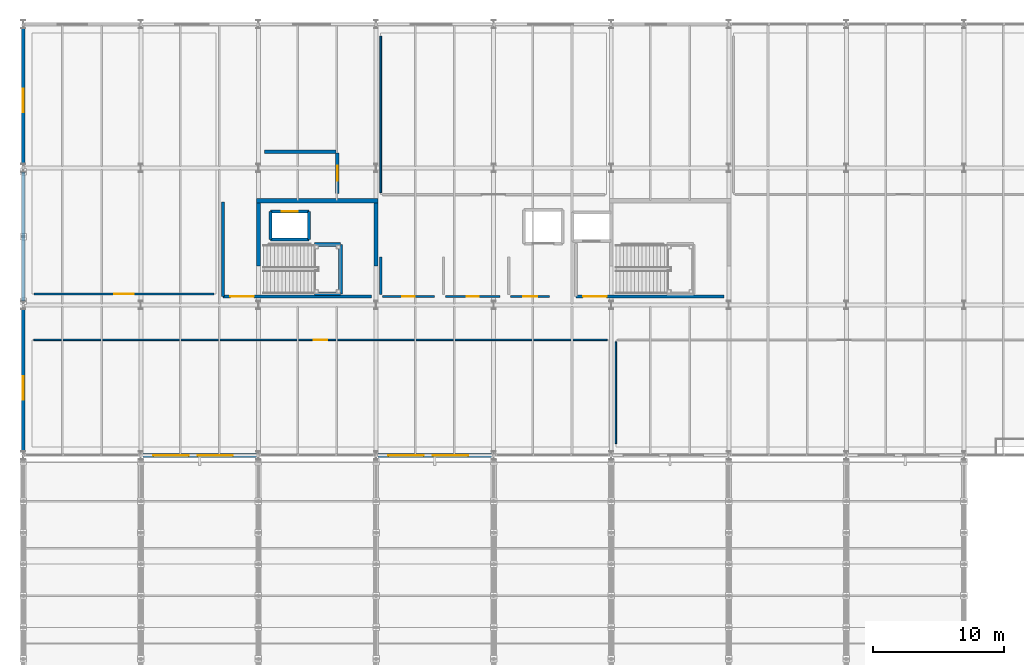
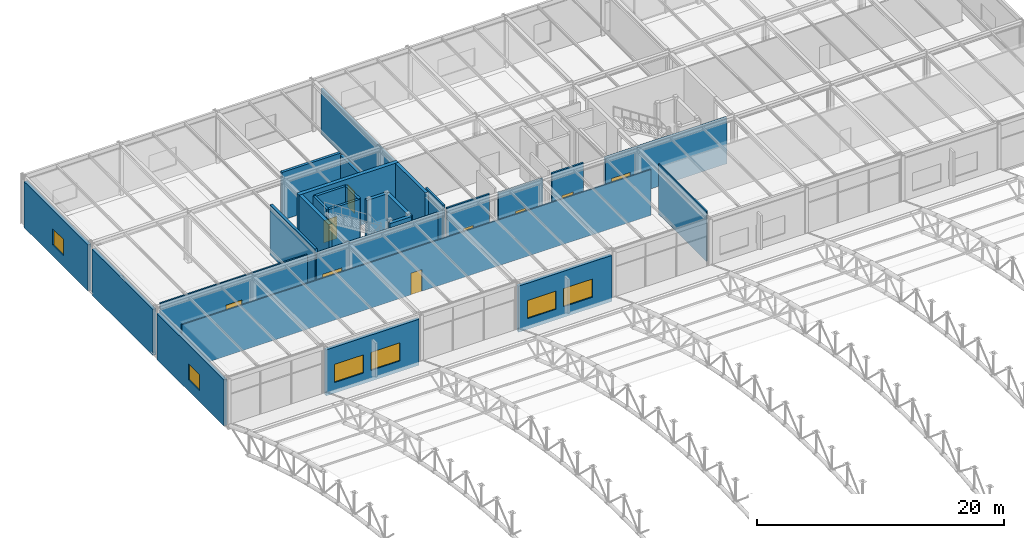
# One storey, part 109 of 195: 28 walls, 9 doors, 6 windows, 15 openings.
"""IFC4 building model written with IfcOpenShell, lengths in metres."""

from ifc_helpers import new_model, si_unit, direction, frame, frame_2d, origin, place, context, subcontext, project, spatial, rectangle, extrude, material, layer, layer_set, type_object, element, fill, save


model = new_model("IFC4")

# Units and contexts
model_context = context("Model", 3, precision=1e-05, world=origin(), true_north=direction((0.0, 1.0)))
body_context = subcontext(model_context, "Body", "Model", "MODEL_VIEW")
ifc_project = project(units=[si_unit("LENGTHUNIT", "METRE"), si_unit("AREAUNIT", "SQUARE_METRE"), si_unit("VOLUMEUNIT", "CUBIC_METRE"), si_unit("PLANEANGLEUNIT", "RADIAN"), si_unit("MASSUNIT", "GRAM", prefix="KILO")], contexts=[model_context])

# Site, building, storey
site_placement = place(None, origin())
site = spatial("IfcSite", under=ifc_project, at=site_placement, CompositionType="ELEMENT")
building_placement = place(site_placement, origin())
building = spatial("IfcBuilding", under=site, at=building_placement, Name="Marlcrest Central Station", CompositionType="ELEMENT")
storey_placement = place(building_placement, frame((0.0, 0.0, 9.800048828125)))
storey = spatial("IfcBuildingStorey", under=building, at=storey_placement, Name="L02", CompositionType="ELEMENT", Elevation=9.800048828125)

# Wall, openings, windows
ifc_material_1 = material(Name="Concrete C40/50", Category="concrete")
ifc_layer_1 = layer(ifc_material_1, 0.2900390625, Name="EW-02")
ifc_layer_set_1 = layer_set([ifc_layer_1], Name="Concrete C40/50")
wall_type_1 = type_object("IfcWallType", Name="EW-02", PredefinedType="SOLIDWALL", material=ifc_layer_set_1)
wall_1_placement = place(storey_placement, frame((17.85009765625, 99.0, 0.0), z_axis=(0.0, 0.0, 1.0), x_axis=(-1.0, 0.0, 0.0)))
wall_1 = element("IfcWall", 1, at=wall_1_placement, inside=storey, type_object=wall_type_1, Name="ewall-L02-0133", PredefinedType="SOLIDWALL", context=body_context, shape_type="SweptSolid", body=[
    extrude(rectangle(XDim=8.7001953125, YDim=0.2900390625, at=frame_2d((4.35009765625, 0.0))), origin(), (0.0, 0.0, 1.0), 4.550048828125),
])
opening_1_placement = place(wall_1_placement, frame((1.800048828125, 0.0, 1.050048828125)))
opening_1 = element("IfcOpeningElement", 2, at=opening_1_placement, cuts=wall_1, Name="Opening WN-06", PredefinedType="OPENING", context=body_context, shape_type="SweptSolid", body=[
    extrude(rectangle(XDim=2.699951171875, YDim=1.800048828125, at=frame_2d((1.35009765625, 0.89990234375))), frame((0.0, 0.155029296875, 0.0), z_axis=(0.0, -1.0, 0.0), x_axis=(1.0, 0.0, 0.0)), (0.0, 0.0, 1.0), 0.31005859375),
])
opening_2_placement = place(wall_1_placement, frame((5.199951171875, 0.0, 1.050048828125)))
opening_2 = element("IfcOpeningElement", 3, at=opening_2_placement, cuts=wall_1, Name="Opening WN-06", PredefinedType="OPENING", context=body_context, shape_type="SweptSolid", body=[
    extrude(rectangle(XDim=2.699951171875, YDim=1.800048828125, at=frame_2d((1.35009765625, 0.89990234375))), frame((0.0, 0.155029296875, 0.0), z_axis=(0.0, -1.0, 0.0), x_axis=(1.0, 0.0, 0.0)), (0.0, 0.0, 1.0), 0.31005859375),
])
ifc_material_2 = material(Name="Thermally broken bronze-anodised aluminium and laminated low-E glass", Category="aluminium")
window_type_1 = type_object("IfcWindowType", Name="WN-06", PartitioningType="SINGLE_PANEL", PredefinedType="WINDOW", material=ifc_material_2)
window_1_placement = place(opening_1_placement, origin())
window_1 = element("IfcWindow", 4, at=window_1_placement, inside=storey, type_object=window_type_1, Name="ewin-L02-0086", OverallHeight=1.800048828125, OverallWidth=2.699951171875, PartitioningType="SINGLE_PANEL", PredefinedType="WINDOW", context=body_context, shape_type="SweptSolid", body=[
    extrude(rectangle(XDim=2.699951171875, YDim=1.800048828125, at=frame_2d((1.35009765625, 0.89990234375))), frame((0.0, 0.030029296875, 0.0), z_axis=(0.0, -1.0, 0.0), x_axis=(1.0, 0.0, 0.0)), (0.0, 0.0, 1.0), 0.06005859375),
])
fill(opening_1, window_1)
window_2_placement = place(opening_2_placement, origin())
window_2 = element("IfcWindow", 5, at=window_2_placement, inside=storey, type_object=window_type_1, Name="ewin-L02-0087", OverallHeight=1.800048828125, OverallWidth=2.699951171875, PartitioningType="SINGLE_PANEL", PredefinedType="WINDOW", context=body_context, shape_type="SweptSolid", body=[
    extrude(rectangle(XDim=2.699951171875, YDim=1.800048828125, at=frame_2d((1.35009765625, 0.89990234375))), frame((0.0, 0.030029296875, 0.0), z_axis=(0.0, -1.0, 0.0), x_axis=(1.0, 0.0, 0.0)), (0.0, 0.0, 1.0), 0.06005859375),
])
fill(opening_2, window_2)

wall_2_placement = place(storey_placement, frame((35.85009765625, 99.0, 0.0), z_axis=(0.0, 0.0, 1.0), x_axis=(-1.0, 0.0, 0.0)))
wall_2 = element("IfcWall", 6, at=wall_2_placement, inside=storey, type_object=wall_type_1, Name="ewall-L02-0136", PredefinedType="SOLIDWALL", context=body_context, shape_type="SweptSolid", body=[
    extrude(rectangle(XDim=8.7001953125, YDim=0.2900390625, at=frame_2d((4.35009765625, 0.0))), origin(), (0.0, 0.0, 1.0), 4.550048828125),
])
opening_3_placement = place(wall_2_placement, frame((1.800048828125, 0.0, 1.050048828125)))
opening_3 = element("IfcOpeningElement", 7, at=opening_3_placement, cuts=wall_2, Name="Opening WN-06", PredefinedType="OPENING", context=body_context, shape_type="SweptSolid", body=[
    extrude(rectangle(XDim=2.699951171875, YDim=1.800048828125, at=frame_2d((1.35009765625, 0.89990234375))), frame((0.0, 0.155029296875, 0.0), z_axis=(0.0, -1.0, 0.0), x_axis=(1.0, 0.0, 0.0)), (0.0, 0.0, 1.0), 0.31005859375),
])
opening_4_placement = place(wall_2_placement, frame((5.199951171875, 0.0, 1.050048828125)))
opening_4 = element("IfcOpeningElement", 8, at=opening_4_placement, cuts=wall_2, Name="Opening WN-06", PredefinedType="OPENING", context=body_context, shape_type="SweptSolid", body=[
    extrude(rectangle(XDim=2.699951171875, YDim=1.800048828125, at=frame_2d((1.35009765625, 0.89990234375))), frame((0.0, 0.155029296875, 0.0), z_axis=(0.0, -1.0, 0.0), x_axis=(1.0, 0.0, 0.0)), (0.0, 0.0, 1.0), 0.31005859375),
])
window_3_placement = place(opening_3_placement, origin())
window_3 = element("IfcWindow", 9, at=window_3_placement, inside=storey, type_object=window_type_1, Name="ewin-L02-0090", OverallHeight=1.800048828125, OverallWidth=2.699951171875, PartitioningType="SINGLE_PANEL", PredefinedType="WINDOW", context=body_context, shape_type="SweptSolid", body=[
    extrude(rectangle(XDim=2.699951171875, YDim=1.800048828125, at=frame_2d((1.35009765625, 0.89990234375))), frame((0.0, 0.030029296875, 0.0), z_axis=(0.0, -1.0, 0.0), x_axis=(1.0, 0.0, 0.0)), (0.0, 0.0, 1.0), 0.06005859375),
])
fill(opening_3, window_3)
window_4_placement = place(opening_4_placement, origin())
window_4 = element("IfcWindow", 10, at=window_4_placement, inside=storey, type_object=window_type_1, Name="ewin-L02-0091", OverallHeight=1.800048828125, OverallWidth=2.699951171875, PartitioningType="SINGLE_PANEL", PredefinedType="WINDOW", context=body_context, shape_type="SweptSolid", body=[
    extrude(rectangle(XDim=2.699951171875, YDim=1.800048828125, at=frame_2d((1.35009765625, 0.89990234375))), frame((0.0, 0.030029296875, 0.0), z_axis=(0.0, -1.0, 0.0), x_axis=(1.0, 0.0, 0.0)), (0.0, 0.0, 1.0), 0.06005859375),
])
fill(opening_4, window_4)

# Wall, opening, window
wall_3_placement = place(storey_placement, frame((0.0, 99.324951171875, 0.0), z_axis=(0.0, 0.0, 1.0), x_axis=(0.0, 1.0, 0.0)))
wall_3 = element("IfcWall", 11, at=wall_3_placement, inside=storey, type_object=wall_type_1, Name="ewall-L02-0142", PredefinedType="SOLIDWALL", context=body_context, shape_type="SweptSolid", body=[
    extrude(rectangle(XDim=10.85009765625, YDim=0.2900390625, at=frame_2d((5.425048828125, 0.0))), origin(), (0.0, 0.0, 1.0), 4.550048828125),
])
opening_5_placement = place(wall_3_placement, frame((3.925048828125, 0.0, 1.10009765625)))
opening_5 = element("IfcOpeningElement", 12, at=opening_5_placement, cuts=wall_3, Name="Opening WN-01", PredefinedType="OPENING", context=body_context, shape_type="SweptSolid", body=[
    extrude(rectangle(XDim=1.800048828125, YDim=1.60009765625, at=frame_2d((0.89990234375, 0.800048828125))), frame((0.0, 0.155029296875, 0.0), z_axis=(0.0, -1.0, 0.0), x_axis=(1.0, 0.0, 0.0)), (0.0, 0.0, 1.0), 0.31005859375),
])
window_type_2 = type_object("IfcWindowType", Name="WN-01", PartitioningType="SINGLE_PANEL", PredefinedType="WINDOW", material=ifc_material_2)
window_5_placement = place(opening_5_placement, origin())
window_5 = element("IfcWindow", 13, at=window_5_placement, inside=storey, type_object=window_type_2, Name="ewin-L02-0099", OverallHeight=1.60009765625, OverallWidth=1.800048828125, PartitioningType="SINGLE_PANEL", PredefinedType="WINDOW", context=body_context, shape_type="SweptSolid", body=[
    extrude(rectangle(XDim=1.800048828125, YDim=1.60009765625, at=frame_2d((0.89990234375, 0.800048828125))), frame((0.0, 0.030029296875, 0.0), z_axis=(0.0, -1.0, 0.0), x_axis=(1.0, 0.0, 0.0)), (0.0, 0.0, 1.0), 0.06005859375),
])
fill(opening_5, window_5)

# Wall
wall_4_placement = place(storey_placement, frame((0.0, 110.824951171875, 0.0), z_axis=(0.0, 0.0, 1.0), x_axis=(0.0, 1.0, 0.0)))
element("IfcWall", 14, at=wall_4_placement, inside=storey, type_object=wall_type_1, Name="ewall-L02-0143", PredefinedType="SOLIDWALL", context=body_context, shape_type="SweptSolid", body=[
    extrude(rectangle(XDim=9.85009765625, YDim=0.2900390625, at=frame_2d((4.925048828125, 0.0))), origin(), (0.0, 0.0, 1.0), 4.550048828125),
])

# Wall, opening, window
wall_5_placement = place(storey_placement, frame((0.0, 121.324951171875, 0.0), z_axis=(0.0, 0.0, 1.0), x_axis=(0.0, 1.0, 0.0)))
wall_5 = element("IfcWall", 15, at=wall_5_placement, inside=storey, type_object=wall_type_1, Name="ewall-L02-0144", PredefinedType="SOLIDWALL", context=body_context, shape_type="SweptSolid", body=[
    extrude(rectangle(XDim=10.35009765625, YDim=0.2900390625, at=frame_2d((5.175048828125, 0.0))), origin(), (0.0, 0.0, 1.0), 4.550048828125),
])
opening_6_placement = place(wall_5_placement, frame((3.925048828125, 0.0, 1.10009765625)))
opening_6 = element("IfcOpeningElement", 16, at=opening_6_placement, cuts=wall_5, Name="Opening WN-01", PredefinedType="OPENING", context=body_context, shape_type="SweptSolid", body=[
    extrude(rectangle(XDim=1.800048828125, YDim=1.60009765625, at=frame_2d((0.89990234375, 0.800048828125))), frame((0.0, 0.155029296875, 0.0), z_axis=(0.0, -1.0, 0.0), x_axis=(1.0, 0.0, 0.0)), (0.0, 0.0, 1.0), 0.31005859375),
])
window_6_placement = place(opening_6_placement, origin())
window_6 = element("IfcWindow", 17, at=window_6_placement, inside=storey, type_object=window_type_2, Name="ewin-L02-0100", OverallHeight=1.60009765625, OverallWidth=1.800048828125, PartitioningType="SINGLE_PANEL", PredefinedType="WINDOW", context=body_context, shape_type="SweptSolid", body=[
    extrude(rectangle(XDim=1.800048828125, YDim=1.60009765625, at=frame_2d((0.89990234375, 0.800048828125))), frame((0.0, 0.030029296875, 0.0), z_axis=(0.0, -1.0, 0.0), x_axis=(1.0, 0.0, 0.0)), (0.0, 0.0, 1.0), 0.06005859375),
])
fill(opening_6, window_6)

# Wall, opening, door
ifc_material_3 = material(Name="Acoustic steel-stud gypsum board partition", Category="steel")
ifc_layer_2 = layer(ifc_material_3, 0.1201171875, Name="PT-01")
ifc_layer_set_2 = layer_set([ifc_layer_2], Name="Acoustic steel-stud gypsum board partition")
wall_type_2 = type_object("IfcWallType", Name="PT-01", PredefinedType="PARTITIONING", material=ifc_layer_set_2)
wall_6_placement = place(storey_placement, frame((0.81005859375, 107.840087890625, 0.0), z_axis=(0.0, 0.0, 1.0), x_axis=(1.0, 0.0, 0.0)))
wall_6 = element("IfcWall", 18, at=wall_6_placement, inside=storey, type_object=wall_type_2, Name="iwall-L02-00146", PredefinedType="PARTITIONING", context=body_context, shape_type="SweptSolid", body=[
    extrude(rectangle(XDim=43.8798828125, YDim=0.1201171875, at=frame_2d((21.93994140625, 0.0))), origin(), (0.0, 0.0, 1.0), 4.530029296875),
])
opening_7_placement = place(wall_6_placement, frame((21.43994140625, 0.0, 0.0)))
opening_7 = element("IfcOpeningElement", 19, at=opening_7_placement, cuts=wall_6, Name="Opening ID-02", PredefinedType="OPENING", context=body_context, shape_type="SweptSolid", body=[
    extrude(rectangle(XDim=1.0, YDim=2.14990234375, at=frame_2d((0.5, 1.074951171875))), frame((0.0, 0.070068359375, 0.0), z_axis=(0.0, -1.0, 0.0), x_axis=(1.0, 0.0, 0.0)), (0.0, 0.0, 1.0), 0.14013671875),
])
ifc_material_4 = material(Name="Solid-core hardwood office door", Category="wood")
door_type_1 = type_object("IfcDoorType", Name="ID-02", OperationType="NOTDEFINED", PredefinedType="DOOR", material=ifc_material_4)
door_1_placement = place(opening_7_placement, origin())
door_1 = element("IfcDoor", 20, at=door_1_placement, inside=storey, type_object=door_type_1, Name="L02-V5A 0083", OperationType="SINGLE_SWING_LEFT", OverallHeight=2.14990234375, OverallWidth=1.0, PredefinedType="DOOR", context=body_context, shape_type="SweptSolid", body=[
    extrude(rectangle(XDim=1.0, YDim=2.14990234375, at=frame_2d((0.5, 1.074951171875))), frame((0.0, 0.02490234375, 0.0), z_axis=(0.0, -1.0, 0.0), x_axis=(1.0, 0.0, 0.0)), (0.0, 0.0, 1.0), 0.050048828125),
])
fill(opening_7, door_1)

# Wall
wall_7_placement = place(storey_placement, frame((45.360107421875, 99.909912109375, 0.0), z_axis=(0.0, 0.0, 1.0), x_axis=(0.0, 1.0, 0.0)))
element("IfcWall", 21, at=wall_7_placement, inside=storey, type_object=wall_type_2, Name="iwall-L02-00148", PredefinedType="PARTITIONING", context=body_context, shape_type="SweptSolid", body=[
    extrude(rectangle(XDim=7.780029296875, YDim=0.1201171875, at=frame_2d((3.89013671875, 0.0))), origin(), (0.0, 0.0, 1.0), 4.949951171875),
])

# Wall, opening, door
ifc_material_5 = material(Name="Acoustic double-stud partition")
ifc_layer_3 = layer(ifc_material_5, 0.139892578125, Name="PT-02")
ifc_layer_set_3 = layer_set([ifc_layer_3], Name="Acoustic double-stud partition")
wall_type_3 = type_object("IfcWallType", Name="PT-02", PredefinedType="PARTITIONING", material=ifc_layer_set_3)
wall_8_placement = place(storey_placement, frame((14.590087890625, 111.360107421875, 0.0), z_axis=(0.0, 0.0, 1.0), x_axis=(-1.0, 0.0, 0.0)))
wall_8 = element("IfcWall", 22, at=wall_8_placement, inside=storey, type_object=wall_type_3, Name="iwall-L02-00149", PredefinedType="PARTITIONING", context=body_context, shape_type="SweptSolid", body=[
    extrude(rectangle(XDim=13.780029296875, YDim=0.139892578125, at=frame_2d((6.89013671875, 0.0))), origin(), (0.0, 0.0, 1.0), 4.530029296875),
])
opening_8_placement = place(wall_8_placement, frame((6.139892578125, 0.0, 0.0)))
opening_8 = element("IfcOpeningElement", 23, at=opening_8_placement, cuts=wall_8, Name="Opening ID-05", PredefinedType="OPENING", context=body_context, shape_type="SweptSolid", body=[
    extrude(rectangle(XDim=1.5, YDim=2.199951171875, at=frame_2d((0.75, 1.10009765625))), frame((0.0, 0.079833984375, 0.0), z_axis=(0.0, -1.0, 0.0), x_axis=(1.0, 0.0, 0.0)), (0.0, 0.0, 1.0), 0.159912109375),
])
ifc_material_6 = material(Name="Double lounge and meeting door")
door_type_2 = type_object("IfcDoorType", Name="ID-05", OperationType="DOUBLE_DOOR_SINGLE_SWING", PredefinedType="DOOR", material=ifc_material_6)
door_2_placement = place(opening_8_placement, origin())
door_2 = element("IfcDoor", 24, at=door_2_placement, inside=storey, type_object=door_type_2, Name="L02-V5D 0085", OperationType="DOUBLE_DOOR_SINGLE_SWING", OverallHeight=2.199951171875, OverallWidth=1.5, PredefinedType="DOOR", context=body_context, shape_type="SweptSolid", body=[
    extrude(rectangle(XDim=1.5, YDim=2.199951171875, at=frame_2d((0.75, 1.10009765625))), frame((0.0, 0.02490234375, 0.0), z_axis=(0.0, -1.0, 0.0), x_axis=(1.0, 0.0, 0.0)), (0.0, 0.0, 1.0), 0.050048828125),
])
fill(opening_8, door_2)

ifc_material_7 = material(Name="Moisture-resistant tiled sanitary partition")
ifc_layer_4 = layer(ifc_material_7, 0.159912109375, Name="PT-03")
ifc_layer_set_4 = layer_set([ifc_layer_4], Name="Moisture-resistant tiled sanitary partition")
wall_type_4 = type_object("IfcWallType", Name="PT-03", PredefinedType="PARTITIONING", material=ifc_layer_set_4)
wall_9_placement = place(storey_placement, frame((31.489990234375, 111.159912109375, 0.0), z_axis=(0.0, 0.0, 1.0), x_axis=(-1.0, 0.0, 0.0)))
wall_9 = element("IfcWall", 25, at=wall_9_placement, inside=storey, type_object=wall_type_4, Name="iwall-L02-00156", PredefinedType="PARTITIONING", context=body_context, shape_type="SweptSolid", body=[
    extrude(rectangle(XDim=3.97998046875, YDim=0.159912109375, at=frame_2d((1.989990234375, 0.0))), origin(), (0.0, 0.0, 1.0), 4.72998046875),
])
opening_9_placement = place(wall_9_placement, frame((1.514892578125, 0.0, 0.0)))
opening_9 = element("IfcOpeningElement", 26, at=opening_9_placement, cuts=wall_9, Name="Opening ID-01", PredefinedType="OPENING", context=body_context, shape_type="SweptSolid", body=[
    extrude(rectangle(XDim=0.949951171875, YDim=2.14990234375, at=frame_2d((0.47509765625, 1.074951171875))), frame((0.0, 0.08984375, 0.0), z_axis=(0.0, -1.0, 0.0), x_axis=(1.0, 0.0, 0.0)), (0.0, 0.0, 1.0), 0.179931640625),
])
ifc_material_8 = material(Name="Solid-core hardwood acoustic door", Category="wood")
door_type_3 = type_object("IfcDoorType", Name="ID-01", OperationType="NOTDEFINED", PredefinedType="DOOR", material=ifc_material_8)
door_3_placement = place(opening_9_placement, origin())
door_3 = element("IfcDoor", 27, at=door_3_placement, inside=storey, type_object=door_type_3, Name="L02-WC-W1 0089", OperationType="SINGLE_SWING_LEFT", OverallHeight=2.14990234375, OverallWidth=0.949951171875, PredefinedType="DOOR", context=body_context, shape_type="SweptSolid", body=[
    extrude(rectangle(XDim=0.949951171875, YDim=2.14990234375, at=frame_2d((0.47509765625, 1.074951171875))), frame((0.0, 0.02490234375, 0.0), z_axis=(0.0, -1.0, 0.0), x_axis=(1.0, 0.0, 0.0)), (0.0, 0.0, 1.0), 0.050048828125),
])
fill(opening_9, door_3)

# Wall
wall_10_placement = place(storey_placement, frame((27.360107421875, 111.31005859375, 0.0), z_axis=(0.0, 0.0, 1.0), x_axis=(0.0, 1.0, 0.0)))
element("IfcWall", 28, at=wall_10_placement, inside=storey, type_object=wall_type_4, Name="iwall-L02-00157", PredefinedType="PARTITIONING", context=body_context, shape_type="SweptSolid", body=[
    extrude(rectangle(XDim=2.8798828125, YDim=0.159912109375, at=frame_2d((1.43994140625, 0.0))), origin(), (0.0, 0.0, 1.0), 4.949951171875),
])

# Wall, opening, door
wall_11_placement = place(storey_placement, frame((36.489990234375, 111.159912109375, 0.0), z_axis=(0.0, 0.0, 1.0), x_axis=(-1.0, 0.0, 0.0)))
wall_11 = element("IfcWall", 29, at=wall_11_placement, inside=storey, type_object=wall_type_4, Name="iwall-L02-00158", PredefinedType="PARTITIONING", context=body_context, shape_type="SweptSolid", body=[
    extrude(rectangle(XDim=4.179931640625, YDim=0.159912109375, at=frame_2d((2.08984375, 0.0))), origin(), (0.0, 0.0, 1.0), 4.530029296875),
])
opening_10_placement = place(wall_11_placement, frame((1.614990234375, 0.0, 0.0)))
opening_10 = element("IfcOpeningElement", 30, at=opening_10_placement, cuts=wall_11, Name="Opening ID-01", PredefinedType="OPENING", context=body_context, shape_type="SweptSolid", body=[
    extrude(rectangle(XDim=0.949951171875, YDim=2.14990234375, at=frame_2d((0.47509765625, 1.074951171875))), frame((0.0, 0.08984375, 0.0), z_axis=(0.0, -1.0, 0.0), x_axis=(1.0, 0.0, 0.0)), (0.0, 0.0, 1.0), 0.179931640625),
])
door_4_placement = place(opening_10_placement, origin())
door_4 = element("IfcDoor", 31, at=door_4_placement, inside=storey, type_object=door_type_3, Name="L02-WC-W2 0090", OperationType="SINGLE_SWING_RIGHT", OverallHeight=2.14990234375, OverallWidth=0.949951171875, PredefinedType="DOOR", context=body_context, shape_type="SweptSolid", body=[
    extrude(rectangle(XDim=0.949951171875, YDim=2.14990234375, at=frame_2d((0.47509765625, 1.074951171875))), frame((0.0, 0.02490234375, 0.0), z_axis=(0.0, -1.0, 0.0), x_axis=(1.0, 0.0, 0.0)), (0.0, 0.0, 1.0), 0.050048828125),
])
fill(opening_10, door_4)

wall_12_placement = place(storey_placement, frame((40.2900390625, 111.159912109375, 0.0), z_axis=(0.0, 0.0, 1.0), x_axis=(-1.0, 0.0, 0.0)))
wall_12 = element("IfcWall", 32, at=wall_12_placement, inside=storey, type_object=wall_type_4, Name="iwall-L02-00160", PredefinedType="PARTITIONING", context=body_context, shape_type="SweptSolid", body=[
    extrude(rectangle(XDim=2.97998046875, YDim=0.159912109375, at=frame_2d((1.489990234375, 0.0))), origin(), (0.0, 0.0, 1.0), 4.72998046875),
])
opening_11_placement = place(wall_12_placement, frame((0.965087890625, 0.0, 0.0)))
opening_11 = element("IfcOpeningElement", 33, at=opening_11_placement, cuts=wall_12, Name="Opening ID-03", PredefinedType="OPENING", context=body_context, shape_type="SweptSolid", body=[
    extrude(rectangle(XDim=1.050048828125, YDim=2.199951171875, at=frame_2d((0.52490234375, 1.10009765625))), frame((0.0, 0.08984375, 0.0), z_axis=(0.0, -1.0, 0.0), x_axis=(1.0, 0.0, 0.0)), (0.0, 0.0, 1.0), 0.179931640625),
])
ifc_material_9 = material(Name="Accessible sanitary outward-opening door")
door_type_4 = type_object("IfcDoorType", Name="ID-03", OperationType="NOTDEFINED", PredefinedType="DOOR", material=ifc_material_9)
door_5_placement = place(opening_11_placement, origin())
door_5 = element("IfcDoor", 34, at=door_5_placement, inside=storey, type_object=door_type_4, Name="L02-WC-WA 0091", OperationType="SINGLE_SWING_LEFT", OverallHeight=2.199951171875, OverallWidth=1.050048828125, PredefinedType="DOOR", context=body_context, shape_type="SweptSolid", body=[
    extrude(rectangle(XDim=1.050048828125, YDim=2.199951171875, at=frame_2d((0.52490234375, 1.10009765625))), frame((0.0, 0.02490234375, 0.0), z_axis=(0.0, -1.0, 0.0), x_axis=(1.0, 0.0, 0.0)), (0.0, 0.0, 1.0), 0.050048828125),
])
fill(opening_11, door_5)

# Wall
ifc_material_10 = material(Name="Retail tenancy demising partition")
ifc_layer_5 = layer(ifc_material_10, 0.14990234375, Name="PT-05")
ifc_layer_set_5 = layer_set([ifc_layer_5], Name="Retail tenancy demising partition")
wall_type_5 = type_object("IfcWallType", Name="PT-05", PredefinedType="PARTITIONING", material=ifc_layer_set_5)
wall_13_placement = place(storey_placement, frame((27.360107421875, 119.110107421875, 0.0), z_axis=(0.0, 0.0, 1.0), x_axis=(0.0, 1.0, 0.0)))
element("IfcWall", 35, at=wall_13_placement, inside=storey, type_object=wall_type_5, Name="iwall-L02-00151", PredefinedType="PARTITIONING", context=body_context, shape_type="SweptSolid", body=[
    extrude(rectangle(XDim=11.97998046875, YDim=0.14990234375, at=frame_2d((5.989990234375, 0.0))), origin(), (0.0, 0.0, 1.0), 4.530029296875),
])

# Wall, opening, door
ifc_layer_6 = layer(ifc_material_1, 0.22998046875, Name="SHW-01")
ifc_layer_set_6 = layer_set([ifc_layer_6], Name="Concrete C40/50")
wall_type_6 = type_object("IfcWallType", Name="SHW-01", PredefinedType="SOLIDWALL", material=ifc_layer_set_6)
wall_14_placement = place(storey_placement, frame((18.919921875, 117.679931640625, 0.0), z_axis=(0.0, 0.0, 1.0), x_axis=(1.0, 0.0, 0.0)))
wall_14 = element("IfcWall", 36, at=wall_14_placement, inside=storey, type_object=wall_type_6, Name="iwall-L02-00355", PredefinedType="SOLIDWALL", context=body_context, shape_type="SweptSolid", body=[
    extrude(rectangle(XDim=2.9599609375, YDim=0.22998046875, at=frame_2d((1.47998046875, 0.0))), origin(), (0.0, 0.0, 1.0), 4.9599609375),
])
opening_12_placement = place(wall_14_placement, frame((0.85498046875, 0.0, 0.0)))
opening_12 = element("IfcOpeningElement", 37, at=opening_12_placement, cuts=wall_14, Name="Opening LD-02", PredefinedType="OPENING", context=body_context, shape_type="SweptSolid", body=[
    extrude(rectangle(XDim=1.25, YDim=2.199951171875, at=frame_2d((0.625, 1.10009765625))), frame((0.0, 0.125, 0.0), z_axis=(0.0, -1.0, 0.0), x_axis=(1.0, 0.0, 0.0)), (0.0, 0.0, 1.0), 0.25),
])
ifc_material_11 = material(Name="Stainless steel stretcher/firefighting lift landing door", Category="steel")
door_type_5 = type_object("IfcDoorType", Name="LD-02", OperationType="DOUBLE_DOOR_SLIDING", PredefinedType="DOOR", material=ifc_material_11)
door_6_placement = place(opening_12_placement, origin())
door_6 = element("IfcDoor", 38, at=door_6_placement, inside=storey, type_object=door_type_5, Name="LF-FF1 Lift Landing Door 0159", OperationType="DOUBLE_DOOR_SLIDING", OverallHeight=2.199951171875, OverallWidth=1.25, PredefinedType="DOOR", context=body_context, shape_type="SweptSolid", body=[
    extrude(rectangle(XDim=1.25, YDim=2.199951171875, at=frame_2d((0.625, 1.10009765625))), frame((0.0, 0.02490234375, 0.0), z_axis=(0.0, -1.0, 0.0), x_axis=(1.0, 0.0, 0.0)), (0.0, 0.0, 1.0), 0.050048828125),
])
fill(opening_12, door_6)

# Walls
wall_15_placement = place(storey_placement, frame((21.8798828125, 115.52001953125, 0.0), z_axis=(0.0, 0.0, 1.0), x_axis=(-1.0, 0.0, 0.0)))
element("IfcWall", 39, at=wall_15_placement, inside=storey, type_object=wall_type_6, Name="iwall-L02-00356", PredefinedType="SOLIDWALL", context=body_context, shape_type="SweptSolid", body=[
    extrude(rectangle(XDim=2.9599609375, YDim=0.22998046875, at=frame_2d((1.47998046875, 0.0))), origin(), (0.0, 0.0, 1.0), 4.9599609375),
])
for number, where, z_axis, x_axis, name in (
    (40, (18.919921875, 115.52001953125, 0.0), (0.0, 0.0, 1.0), (0.0, 1.0, 0.0), "iwall-L02-00357"),
    (41, (21.8798828125, 117.679931640625, 0.0), (0.0, 0.0, 1.0), (0.0, -1.0, 0.0), "iwall-L02-00358"),
):
    element("IfcWall", number, at=place(storey_placement, frame(where, z_axis=z_axis, x_axis=x_axis)), inside=storey, type_object=wall_type_6, Name=name, PredefinedType="SOLIDWALL", context=body_context, shape_type="SweptSolid", body=[
        extrude(rectangle(XDim=2.159912109375, YDim=0.22998046875, at=frame_2d((1.080078125, 0.0))), origin(), (0.0, 0.0, 1.0), 4.9599609375),
    ])

# Wall, opening, door
wall_16_placement = place(storey_placement, frame((15.300048828125, 111.14990234375, 0.0), z_axis=(0.0, 0.0, 1.0), x_axis=(1.0, 0.0, 0.0)))
wall_16 = element("IfcWall", 42, at=wall_16_placement, inside=storey, type_object=wall_type_6, Name="iwall-L02-00437", PredefinedType="SOLIDWALL", context=body_context, shape_type="SweptSolid", body=[
    extrude(rectangle(XDim=11.349853515625, YDim=0.22998046875, at=frame_2d((5.6748046875, 0.0))), origin(), (0.0, 0.0, 1.0), 4.530029296875),
])
opening_13_placement = place(wall_16_placement, frame((0.550048828125, 0.0, 0.0)))
opening_13 = element("IfcOpeningElement", 43, at=opening_13_placement, cuts=wall_16, Name="Opening FD-90D", PredefinedType="OPENING", context=body_context, shape_type="SweptSolid", body=[
    extrude(rectangle(XDim=1.800048828125, YDim=2.300048828125, at=frame_2d((0.89990234375, 1.14990234375))), frame((0.0, 0.125, 0.0), z_axis=(0.0, -1.0, 0.0), x_axis=(1.0, 0.0, 0.0)), (0.0, 0.0, 1.0), 0.25),
])
ifc_material_12 = material(Name="90-minute double exit-stair fire door")
door_type_6 = type_object("IfcDoorType", Name="FD-90D", OperationType="DOUBLE_DOOR_SINGLE_SWING", PredefinedType="DOOR", material=ifc_material_12)
door_7_placement = place(opening_13_placement, origin())
door_7 = element("IfcDoor", 44, at=door_7_placement, inside=storey, type_object=door_type_6, Name="ST-W12 Stair Door 0188", OperationType="DOUBLE_DOOR_SINGLE_SWING", OverallHeight=2.300048828125, OverallWidth=1.800048828125, PredefinedType="DOOR", context=body_context, shape_type="SweptSolid", body=[
    extrude(rectangle(XDim=1.800048828125, YDim=2.300048828125, at=frame_2d((0.89990234375, 1.14990234375))), frame((0.0, 0.02490234375, 0.0), z_axis=(0.0, -1.0, 0.0), x_axis=(1.0, 0.0, 0.0)), (0.0, 0.0, 1.0), 0.050048828125),
])
fill(opening_13, door_7)

# Wall
wall_17_placement = place(storey_placement, frame((15.300048828125, 111.14990234375, 0.0), z_axis=(0.0, 0.0, 1.0), x_axis=(0.0, 1.0, 0.0)))
element("IfcWall", 45, at=wall_17_placement, inside=storey, type_object=wall_type_6, Name="iwall-L02-00438", PredefinedType="SOLIDWALL", context=body_context, shape_type="SweptSolid", body=[
    extrude(rectangle(XDim=7.25, YDim=0.22998046875, at=frame_2d((3.625, 0.0))), origin(), (0.0, 0.0, 1.0), 4.949951171875),
])

# Wall, opening, door
wall_18_placement = place(storey_placement, frame((42.300048828125, 111.14990234375, 0.0), z_axis=(0.0, 0.0, 1.0), x_axis=(1.0, 0.0, 0.0)))
wall_18 = element("IfcWall", 46, at=wall_18_placement, inside=storey, type_object=wall_type_6, Name="iwall-L02-00439", PredefinedType="SOLIDWALL", context=body_context, shape_type="SweptSolid", body=[
    extrude(rectangle(XDim=11.349853515625, YDim=0.22998046875, at=frame_2d((5.6748046875, 0.0))), origin(), (0.0, 0.0, 1.0), 4.530029296875),
])
opening_14_placement = place(wall_18_placement, frame((0.550048828125, 0.0, 0.0)))
opening_14 = element("IfcOpeningElement", 47, at=opening_14_placement, cuts=wall_18, Name="Opening FD-90D", PredefinedType="OPENING", context=body_context, shape_type="SweptSolid", body=[
    extrude(rectangle(XDim=1.800048828125, YDim=2.300048828125, at=frame_2d((0.89990234375, 1.14990234375))), frame((0.0, 0.125, 0.0), z_axis=(0.0, -1.0, 0.0), x_axis=(1.0, 0.0, 0.0)), (0.0, 0.0, 1.0), 0.25),
])
door_8_placement = place(opening_14_placement, origin())
door_8 = element("IfcDoor", 48, at=door_8_placement, inside=storey, type_object=door_type_6, Name="ST-W22 Stair Door 0189", OperationType="DOUBLE_DOOR_SINGLE_SWING", OverallHeight=2.300048828125, OverallWidth=1.800048828125, PredefinedType="DOOR", context=body_context, shape_type="SweptSolid", body=[
    extrude(rectangle(XDim=1.800048828125, YDim=2.300048828125, at=frame_2d((0.89990234375, 1.14990234375))), frame((0.0, 0.02490234375, 0.0), z_axis=(0.0, -1.0, 0.0), x_axis=(1.0, 0.0, 0.0)), (0.0, 0.0, 1.0), 0.050048828125),
])
fill(opening_14, door_8)

ifc_layer_7 = layer(ifc_material_1, 0.25, Name="SHW-02")
ifc_layer_set_7 = layer_set([ifc_layer_7], Name="Concrete C40/50")
wall_type_7 = type_object("IfcWallType", Name="SHW-02", PredefinedType="SOLIDWALL", material=ifc_layer_set_7)
wall_19_placement = place(storey_placement, frame((24.0400390625, 119.06005859375, 0.0), z_axis=(0.0, 0.0, 1.0), x_axis=(0.0, 1.0, 0.0)))
wall_19 = element("IfcWall", 49, at=wall_19_placement, inside=storey, type_object=wall_type_7, Name="iwall-L02-00154", PredefinedType="SOLIDWALL", context=body_context, shape_type="SweptSolid", body=[
    extrude(rectangle(XDim=3.079833984375, YDim=0.25, at=frame_2d((1.5400390625, 0.0))), origin(), (0.0, 0.0, 1.0), 4.530029296875),
])
opening_15_placement = place(wall_19_placement, frame((0.965087890625, 0.0, 0.0)))
opening_15 = element("IfcOpeningElement", 50, at=opening_15_placement, cuts=wall_19, Name="Opening FD-90", PredefinedType="OPENING", context=body_context, shape_type="SweptSolid", body=[
    extrude(rectangle(XDim=1.14990234375, YDim=2.199951171875, at=frame_2d((0.574951171875, 1.10009765625))), frame((0.0, 0.135009765625, 0.0), z_axis=(0.0, -1.0, 0.0), x_axis=(1.0, 0.0, 0.0)), (0.0, 0.0, 1.0), 0.27001953125),
])
ifc_material_13 = material(Name="90-minute stair and firefighting-lobby fire door")
door_type_7 = type_object("IfcDoorType", Name="FD-90", OperationType="NOTDEFINED", PredefinedType="DOOR", material=ifc_material_13)
door_9_placement = place(opening_15_placement, origin())
door_9 = element("IfcDoor", 51, at=door_9_placement, inside=storey, type_object=door_type_7, Name="L02-FFL 0088", OperationType="SINGLE_SWING_RIGHT", OverallHeight=2.199951171875, OverallWidth=1.14990234375, PredefinedType="DOOR", context=body_context, shape_type="SweptSolid", body=[
    extrude(rectangle(XDim=1.14990234375, YDim=2.199951171875, at=frame_2d((0.574951171875, 1.10009765625))), frame((0.0, 0.02490234375, 0.0), z_axis=(0.0, -1.0, 0.0), x_axis=(1.0, 0.0, 0.0)), (0.0, 0.0, 1.0), 0.050048828125),
])
fill(opening_15, door_9)

# Walls
wall_20_placement = place(storey_placement, frame((18.4599609375, 122.239990234375, 0.0), z_axis=(0.0, 0.0, 1.0), x_axis=(1.0, 0.0, 0.0)))
element("IfcWall", 52, at=wall_20_placement, inside=storey, type_object=wall_type_7, Name="iwall-L02-00155", PredefinedType="SOLIDWALL", context=body_context, shape_type="SweptSolid", body=[
    extrude(rectangle(XDim=5.47998046875, YDim=0.25, at=frame_2d((2.739990234375, 0.0))), origin(), (0.0, 0.0, 1.0), 4.72998046875),
])
ifc_material_14 = material(Name="Concrete C50/60", Category="concrete")
ifc_layer_8 = layer(ifc_material_14, 0.35009765625, Name="SW-01")
ifc_layer_set_8 = layer_set([ifc_layer_8], Name="Concrete C50/60")
wall_type_8 = type_object("IfcWallType", Name="SW-01", PredefinedType="SHEAR", material=ifc_layer_set_8)
wall_21_placement = place(storey_placement, frame((17.85009765625, 118.5, 0.0), z_axis=(0.0, 0.0, 1.0), x_axis=(1.0, 0.0, 0.0)))
element("IfcWall", 53, at=wall_21_placement, inside=storey, type_object=wall_type_8, Name="swall-L02-0023", PredefinedType="SHEAR", context=body_context, shape_type="SweptSolid", body=[
    extrude(rectangle(XDim=9.2998046875, YDim=0.35009765625, at=frame_2d((4.64990234375, 0.0))), origin(), (0.0, 0.0, 1.0), 5.0),
])
ifc_layer_9 = layer(ifc_material_14, 0.300048828125, Name="SW-02")
ifc_layer_set_9 = layer_set([ifc_layer_9], Name="Concrete C50/60")
wall_type_9 = type_object("IfcWallType", Name="SW-02", PredefinedType="SHEAR", material=ifc_layer_set_9)
for number, where, z_axis, x_axis, name in (
    (54, (18.0, 113.5, 0.0), (0.0, 0.0, 1.0), (0.0, 1.0, 0.0), "swall-L02-0024"),
    (55, (27.0, 113.5, 0.0), (0.0, 0.0, 1.0), (0.0, 1.0, 0.0), "swall-L02-0025"),
):
    element("IfcWall", number, at=place(storey_placement, frame(where, z_axis=z_axis, x_axis=x_axis)), inside=storey, type_object=wall_type_9, Name=name, PredefinedType="SHEAR", context=body_context, shape_type="SweptSolid", body=[
        extrude(rectangle(XDim=4.824951171875, YDim=0.300048828125, at=frame_2d((2.41259765625, 0.0))), origin(), (0.0, 0.0, 1.0), 5.0),
    ])
wall_22_placement = place(storey_placement, frame((22.280029296875, 111.3701171875, 0.0), z_axis=(0.0, 0.0, 1.0), x_axis=(1.0, 0.0, 0.0)))
element("IfcWall", 56, at=wall_22_placement, inside=storey, type_object=wall_type_9, Name="htsw-0048-S", PredefinedType="SHEAR", context=body_context, shape_type="SweptSolid", body=[
    extrude(rectangle(XDim=2.0, YDim=0.300048828125, at=frame_2d((1.0, 0.0))), origin(), (0.0, 0.0, 1.0), 4.949951171875),
])
wall_23_placement = place(storey_placement, frame((24.280029296875, 111.3701171875, 0.0), z_axis=(0.0, 0.0, 1.0), x_axis=(0.0, 1.0, 0.0)))
element("IfcWall", 57, at=wall_23_placement, inside=storey, type_object=wall_type_9, Name="htsw-0048-E", PredefinedType="SHEAR", context=body_context, shape_type="SweptSolid", body=[
    extrude(rectangle(XDim=3.759765625, YDim=0.300048828125, at=frame_2d((1.8798828125, 0.0))), origin(), (0.0, 0.0, 1.0), 4.949951171875),
])
wall_24_placement = place(storey_placement, frame((24.280029296875, 115.1298828125, 0.0), z_axis=(0.0, 0.0, 1.0), x_axis=(-1.0, 0.0, 0.0)))
element("IfcWall", 58, at=wall_24_placement, inside=storey, type_object=wall_type_9, Name="htsw-0048-N", PredefinedType="SHEAR", context=body_context, shape_type="SweptSolid", body=[
    extrude(rectangle(XDim=2.0, YDim=0.300048828125, at=frame_2d((1.0, 0.0))), origin(), (0.0, 0.0, 1.0), 4.949951171875),
])

save(model, "model.ifc")
